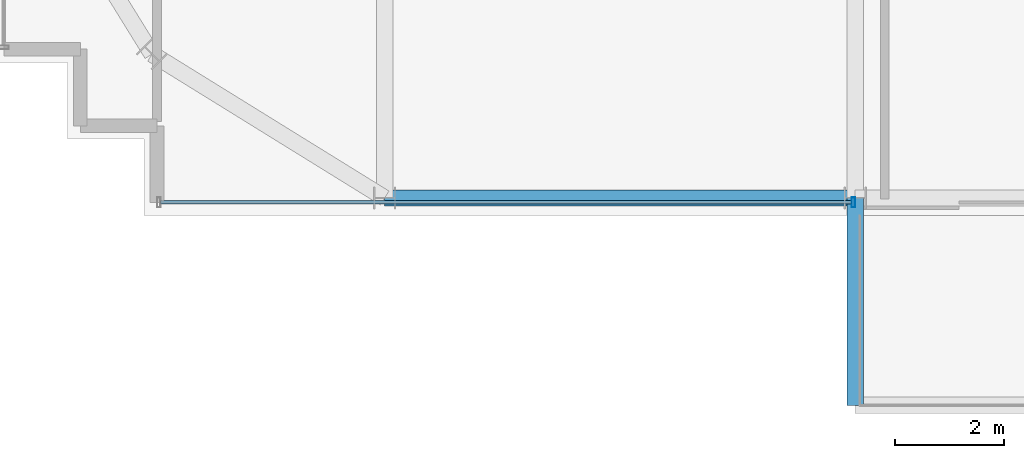
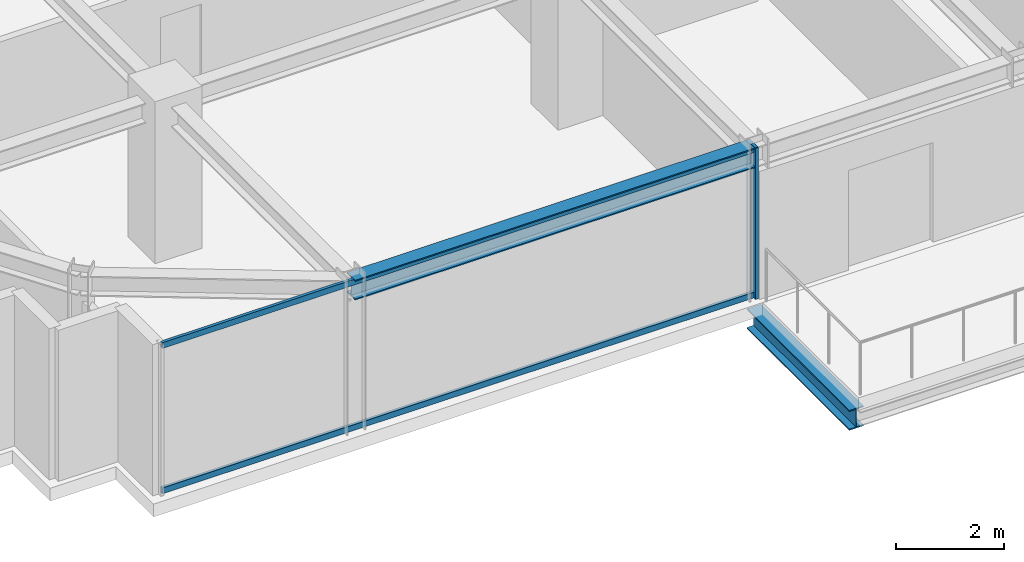
# One storey, part 4 of 36: 3 members, 2 beams, 1 element without a shape of its own.
"""IFC4 building model written with IfcOpenShell, lengths in metres."""

from ifc_helpers import new_model, si_unit, direction, frame, origin, origin_2d, place, context, subcontext, project, spatial, hollow_rectangle, i_section, extrude, source, transform, mapped, material, material_profile, profile_set, type_object, element, aggregate, save


model = new_model("IFC4")

# Units and contexts
model_context = context("Model", 3, precision=1e-05, world=origin(), true_north=direction((0.0, 1.0)))
body_context = subcontext(model_context, "Body", "Model", "MODEL_VIEW")
ifc_project = project(units=[si_unit("LENGTHUNIT", "METRE"), si_unit("AREAUNIT", "SQUARE_METRE"), si_unit("VOLUMEUNIT", "CUBIC_METRE"), si_unit("PLANEANGLEUNIT", "RADIAN"), si_unit("MASSUNIT", "GRAM", prefix="KILO")], contexts=[model_context])

# Site, building, storey
site_placement = place(None, origin())
site = spatial("IfcSite", under=ifc_project, at=site_placement, CompositionType="ELEMENT")
building_placement = place(site_placement, origin())
building = spatial("IfcBuilding", under=site, at=building_placement, Name="Nahalor Promenade Grand Hotel", CompositionType="ELEMENT")
storey_placement = place(building_placement, frame((0.0, 0.0, 253.0)))
storey = spatial("IfcBuildingStorey", under=building, at=storey_placement, Name="L65", CompositionType="ELEMENT", Elevation=253.0)

# Beams
ifc_material_1 = material(Name="Steel S355JR", Category="steel")
ifc_material_profile_1 = material_profile(ifc_material_1, i_section(OverallWidth=0.3, OverallDepth=0.45, WebThickness=0.014, FlangeThickness=0.026, at=origin_2d()), Name="HEB 450")
ifc_profile_set_1 = profile_set([ifc_material_profile_1], Name="Steel S355JR")
beam_type_1 = type_object("IfcBeamType", Name="Beam-Outrigger-HEB450", PredefinedType="BEAM", material=ifc_profile_set_1)
shared_shape_1 = source(origin(), body_context, "Body", "SweptSolid", [
    extrude(i_section(OverallWidth=0.3, OverallDepth=0.45, WebThickness=0.014, FlangeThickness=0.026, at=origin_2d()), origin(), (0.0, 0.0, 1.0), 3.7900390625),
])
beam_1_placement = place(storey_placement, frame((-8.39990234375, -27.669921875, -0.5048828125), z_axis=(0.0, 1.0, 0.0), x_axis=(-1.0, 0.0, 0.0)))
element("IfcBeam", 1, at=beam_1_placement, inside=storey, type_object=beam_type_1, Name="BM-L65-BC-01-1", PredefinedType="BEAM", context=body_context, shape_type="MappedRepresentation", body=[
    mapped(shared_shape_1, transform((0.0, 0.0, 0.0), scale=1.0)),
])
ifc_material_profile_2 = material_profile(ifc_material_1, i_section(OverallWidth=0.3, OverallDepth=0.45, WebThickness=0.014, FlangeThickness=0.026, at=origin_2d()), Name="HEB 450")
ifc_profile_set_2 = profile_set([ifc_material_profile_2], Name="Steel S355JR")
beam_type_2 = type_object("IfcBeamType", Name="Beam-Spandrel-HEB450", PredefinedType="SPANDREL", material=ifc_profile_set_2)
shared_shape_2 = source(origin(), body_context, "Body", "SweptSolid", [
    extrude(i_section(OverallWidth=0.3, OverallDepth=0.45, WebThickness=0.014, FlangeThickness=0.026, at=origin_2d()), origin(), (0.0, 0.0, 1.0), 8.60009765625),
])
beam_2_placement = place(storey_placement, frame((-17.0, -23.8798828125, 3.18505859375), z_axis=(1.0, 0.0, 0.0), x_axis=(0.0, 1.0, 0.0)))
element("IfcBeam", 2, at=beam_2_placement, inside=storey, type_object=beam_type_2, Name="BM-L65-SP-S-0", PredefinedType="SPANDREL", context=body_context, shape_type="MappedRepresentation", body=[
    mapped(shared_shape_2, transform((0.0, 0.0, 0.0), scale=1.0)),
])

# Curtain wall, members
ifc_material_2 = material(Name="Anodised Bronze Aluminium EN AW-6063 T6", Category="aluminium")
curtain_wall_type = type_object("IfcCurtainWallType", Name="CW2 Typical Hotel Flush Bronze Unitised Curtain Wall", PredefinedType="USERDEFINED", material=ifc_material_2)
curtain_wall_placement = place(storey_placement, origin())
curtain_wall = element("IfcCurtainWall", 3, at=curtain_wall_placement, inside=storey, type_object=curtain_wall_type, Name="L65 Curtain Wall CW-L65-S-1", ObjectType="UNITISED_CURTAIN_WALL", PredefinedType="USERDEFINED")
ifc_material_profile_3 = material_profile(ifc_material_2, hollow_rectangle(XDim=0.065, YDim=0.13, WallThickness=0.004, at=origin_2d()), Name="CWT 65x130x4")
ifc_profile_set_3 = profile_set([ifc_material_profile_3], Name="Anodised Bronze Aluminium EN AW-6063 T6")
member_type_1 = type_object("IfcMemberType", Name="CWT2 Typical Bronze Transom 65x130", PredefinedType="USERDEFINED", material=ifc_profile_set_3)
shared_shape_3 = source(origin(), body_context, "Body", "SweptSolid", [
    extrude(hollow_rectangle(XDim=0.065, YDim=0.13, WallThickness=0.004, at=origin_2d()), origin(), (0.0, 0.0, 1.0), 12.6298828125),
])
member_1_placement = place(storey_placement, frame((-21.094970703125, -23.9599609375, 0.06494140625), z_axis=(1.0, 0.0, 0.0), x_axis=(0.0, 1.0, 0.0)))
member_1 = element("IfcMember", 4, at=member_1_placement, type_object=member_type_1, Name="CW-L65-S-1 Transom 0-0", ObjectType="TRANSOM", PredefinedType="USERDEFINED", context=body_context, shape_type="MappedRepresentation", body=[
    mapped(shared_shape_3, transform((0.0, 0.0, 0.0), scale=1.0)),
])
member_2_placement = place(storey_placement, frame((-21.094970703125, -23.9599609375, 3.344970703125), z_axis=(1.0, 0.0, 0.0), x_axis=(0.0, 1.0, 0.0)))
member_2 = element("IfcMember", 5, at=member_2_placement, type_object=member_type_1, Name="CW-L65-S-1 Transom 0-1", ObjectType="TRANSOM", PredefinedType="USERDEFINED", context=body_context, shape_type="MappedRepresentation", body=[
    mapped(shared_shape_3, transform((0.0, 0.0, 0.0), scale=1.0)),
])
ifc_material_profile_4 = material_profile(ifc_material_2, hollow_rectangle(XDim=0.065, YDim=0.18, WallThickness=0.004, at=origin_2d()), Name="CWM 65x180x4")
ifc_profile_set_4 = profile_set([ifc_material_profile_4], Name="Anodised Bronze Aluminium EN AW-6063 T6")
member_type_2 = type_object("IfcMemberType", Name="CWM2 Typical Bronze Mullion 65x180", PredefinedType="MULLION", material=ifc_profile_set_4)
shared_shape_4 = source(origin(), body_context, "Body", "SweptSolid", [
    extrude(hollow_rectangle(XDim=0.065, YDim=0.18, WallThickness=0.004, at=origin_2d()), origin(), (0.0, 0.0, 1.0), 3.409912109375),
])
member_3_placement = place(storey_placement, frame((-8.4326171875, -23.9599609375, 0.0), z_axis=(0.0, 0.0, 1.0), x_axis=(1.0, 0.0, 0.0)))
member_3 = element("IfcMember", 6, at=member_3_placement, type_object=member_type_2, Name="CW-L65-S-1 Mullion 1", PredefinedType="MULLION", context=body_context, shape_type="MappedRepresentation", body=[
    mapped(shared_shape_4, transform((0.0, 0.0, 0.0), scale=1.0)),
])
aggregate(curtain_wall, [member_3, member_1, member_2])

save(model, "model.ifc")
